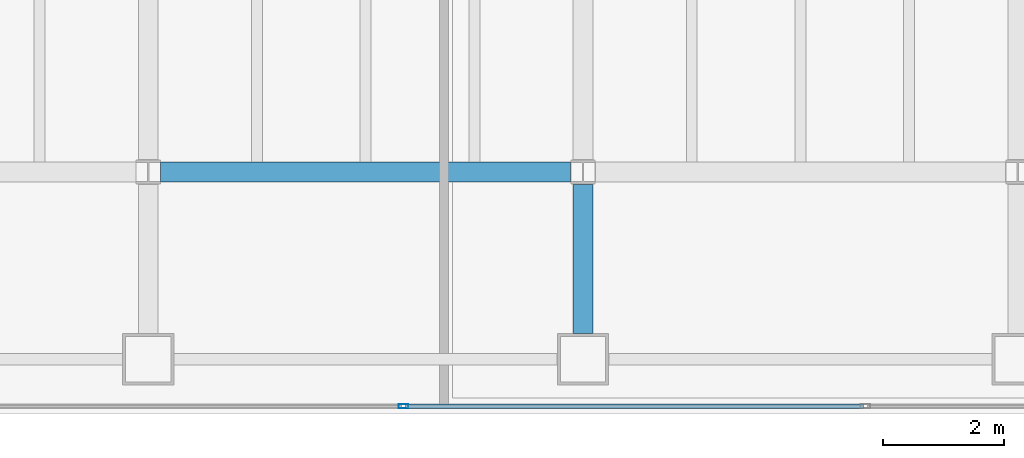
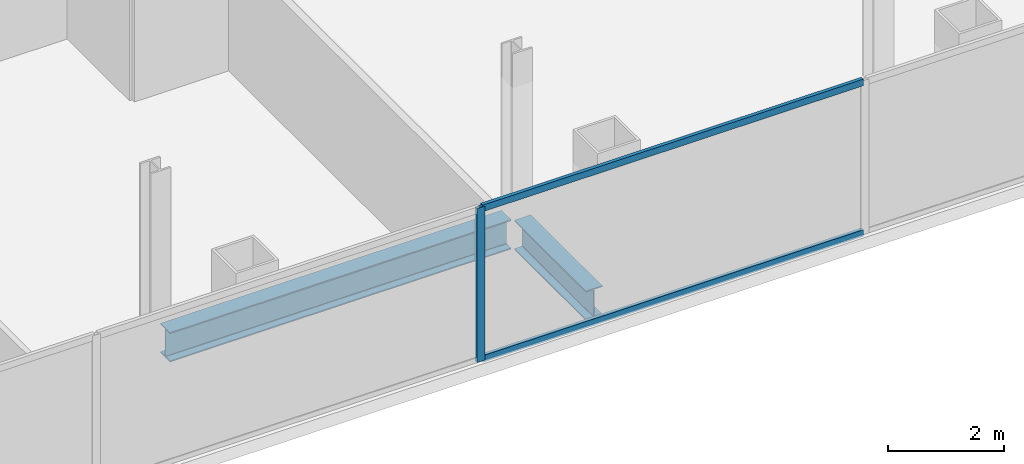
# One storey, part 6 of 23: 3 members, 2 beams, 1 element without a shape of its own.
"""IFC4 building model written with IfcOpenShell, lengths in metres."""

from ifc_helpers import new_model, si_unit, direction, frame, origin, origin_2d, place, context, subcontext, project, spatial, hollow_rectangle, i_section, extrude, material, material_profile, profile_set, type_object, element, aggregate, save


model = new_model("IFC4")

# Units and contexts
model_context = context("Model", 3, precision=1e-05, world=origin(), true_north=direction((0.0, 1.0)))
body_context = subcontext(model_context, "Body", "Model", "MODEL_VIEW")
ifc_project = project(units=[si_unit("LENGTHUNIT", "METRE"), si_unit("AREAUNIT", "SQUARE_METRE"), si_unit("VOLUMEUNIT", "CUBIC_METRE"), si_unit("PLANEANGLEUNIT", "RADIAN"), si_unit("MASSUNIT", "GRAM", prefix="KILO")], contexts=[model_context])

# Site, building, storey
site_placement = place(None, origin())
site = spatial("IfcSite", under=ifc_project, at=site_placement, CompositionType="ELEMENT")
building_placement = place(site_placement, origin())
building = spatial("IfcBuilding", under=site, at=building_placement, Name="Cobrela Telecom Tower", CompositionType="ELEMENT")
storey_placement = place(building_placement, frame((0.0, 0.0, 176.75)))
storey = spatial("IfcBuildingStorey", under=building, at=storey_placement, Name="L44", CompositionType="ELEMENT", Elevation=176.75)

# Beams
ifc_material_1 = material(Name="Steel ASTM A992 Grade 50", Category="steel")
ifc_material_profile_1 = material_profile(ifc_material_1, i_section(OverallWidth=0.327880859375, OverallDepth=0.6220703125, WebThickness=0.015380859375, FlangeThickness=0.0244140625, FilletRadius=0.014892578125, at=origin_2d()), Name="W24X131")
ifc_profile_set_1 = profile_set([ifc_material_profile_1], Name="Steel ASTM A992 Grade 50")
beam_type = type_object("IfcBeamType", Name="BM-GIRD-06", PredefinedType="USERDEFINED", material=ifc_profile_set_1)
beam_1_placement = place(storey_placement, frame((21.804443359375, 7.199951171875, -0.571044921875), z_axis=(1.0, 0.0, 0.0), x_axis=(0.0, 1.0, 0.0)))
element("IfcBeam", 1, at=beam_1_placement, inside=storey, type_object=beam_type, Name="L44 Primary Girder X08", ObjectType="GIRDER", PredefinedType="USERDEFINED", context=body_context, shape_type="SweptSolid", body=[
    extrude(i_section(OverallWidth=0.327880859375, OverallDepth=0.6220703125, WebThickness=0.015380859375, FlangeThickness=0.0244140625, FilletRadius=0.014892578125, at=origin_2d()), origin(), (0.0, 0.0, 1.0), 6.791015625),
])
beam_2_placement = place(storey_placement, frame((28.800048828125, 4.530029296875, -0.571044921875), z_axis=(0.0, 1.0, 0.0), x_axis=(-1.0, 0.0, 0.0)))
element("IfcBeam", 2, at=beam_2_placement, inside=storey, type_object=beam_type, Name="L44 Primary Girder Y36", ObjectType="GIRDER", PredefinedType="USERDEFINED", context=body_context, shape_type="SweptSolid", body=[
    extrude(i_section(OverallWidth=0.327880859375, OverallDepth=0.6220703125, WebThickness=0.015380859375, FlangeThickness=0.0244140625, FilletRadius=0.014892578125, at=origin_2d()), origin(), (0.0, 0.0, 1.0), 2.465576171875),
])

# Curtain wall, members
ifc_material_2 = material(Name="Anodized Bronze Aluminium 6063-T6", Category="aluminium")
curtain_wall_type = type_object("IfcCurtainWallType", Name="CW-SYS-OFF-LO", PredefinedType="USERDEFINED", material=ifc_material_2)
curtain_wall_placement = place(storey_placement, origin())
curtain_wall = element("IfcCurtainWall", 3, at=curtain_wall_placement, inside=storey, type_object=curtain_wall_type, Name="L44 Unitised Bronze Curtain Wall 17", ObjectType="UNITISED CURTAIN WALL", PredefinedType="USERDEFINED")
ifc_material_profile_2 = material_profile(ifc_material_2, hollow_rectangle(XDim=0.070068359375, YDim=0.159912109375, WallThickness=0.00390625, at=origin_2d()), Name="ALU 70x160x4")
ifc_profile_set_2 = profile_set([ifc_material_profile_2], Name="Anodized Bronze Aluminium 6063-T6")
member_type_1 = type_object("IfcMemberType", Name="CW-SYS-OFF-LO-MUL", PredefinedType="MULLION", material=ifc_profile_set_2)
member_1_placement = place(storey_placement, frame((25.825927734375, 3.320068359375, 0.0), z_axis=(0.0, 0.0, 1.0), x_axis=(0.0, -1.0, 0.0)))
member_1 = element("IfcMember", 4, at=member_1_placement, type_object=member_type_1, Name="CW-OFF-LO mullion 3", PredefinedType="MULLION", context=body_context, shape_type="SweptSolid", body=[
    extrude(hollow_rectangle(XDim=0.070068359375, YDim=0.159912109375, WallThickness=0.00390625, at=origin_2d()), origin(), (0.0, 0.0, 1.0), 3.239990234375),
])
ifc_material_profile_3 = material_profile(ifc_material_2, hollow_rectangle(XDim=0.070068359375, YDim=0.139892578125, WallThickness=0.00390625, at=origin_2d()), Name="ALU 70x140x4")
ifc_profile_set_3 = profile_set([ifc_material_profile_3], Name="Anodized Bronze Aluminium 6063-T6")
member_type_2 = type_object("IfcMemberType", Name="CW-SYS-OFF-LO-TRN", PredefinedType="USERDEFINED", material=ifc_profile_set_3)
member_2_placement = place(storey_placement, frame((33.443115234375, 3.320068359375, 0.034912109375), z_axis=(-1.0, 0.0, 0.0), x_axis=(0.0, -1.0, 0.0)))
member_2 = element("IfcMember", 5, at=member_2_placement, type_object=member_type_2, Name="CW-OFF-LO transom 2.1", ObjectType="TRANSOM", PredefinedType="USERDEFINED", context=body_context, shape_type="SweptSolid", body=[
    extrude(hollow_rectangle(XDim=0.070068359375, YDim=0.139892578125, WallThickness=0.00390625, at=origin_2d()), origin(), (0.0, 0.0, 1.0), 7.58203125),
])
member_3_placement = place(storey_placement, frame((33.443115234375, 3.320068359375, 3.205078125), z_axis=(-1.0, 0.0, 0.0), x_axis=(0.0, -1.0, 0.0)))
member_3 = element("IfcMember", 6, at=member_3_placement, type_object=member_type_2, Name="CW-OFF-LO transom 2.2", ObjectType="TRANSOM", PredefinedType="USERDEFINED", context=body_context, shape_type="SweptSolid", body=[
    extrude(hollow_rectangle(XDim=0.070068359375, YDim=0.139892578125, WallThickness=0.00390625, at=origin_2d()), origin(), (0.0, 0.0, 1.0), 7.58203125),
])
aggregate(curtain_wall, [member_1, member_2, member_3])

save(model, "model.ifc")
